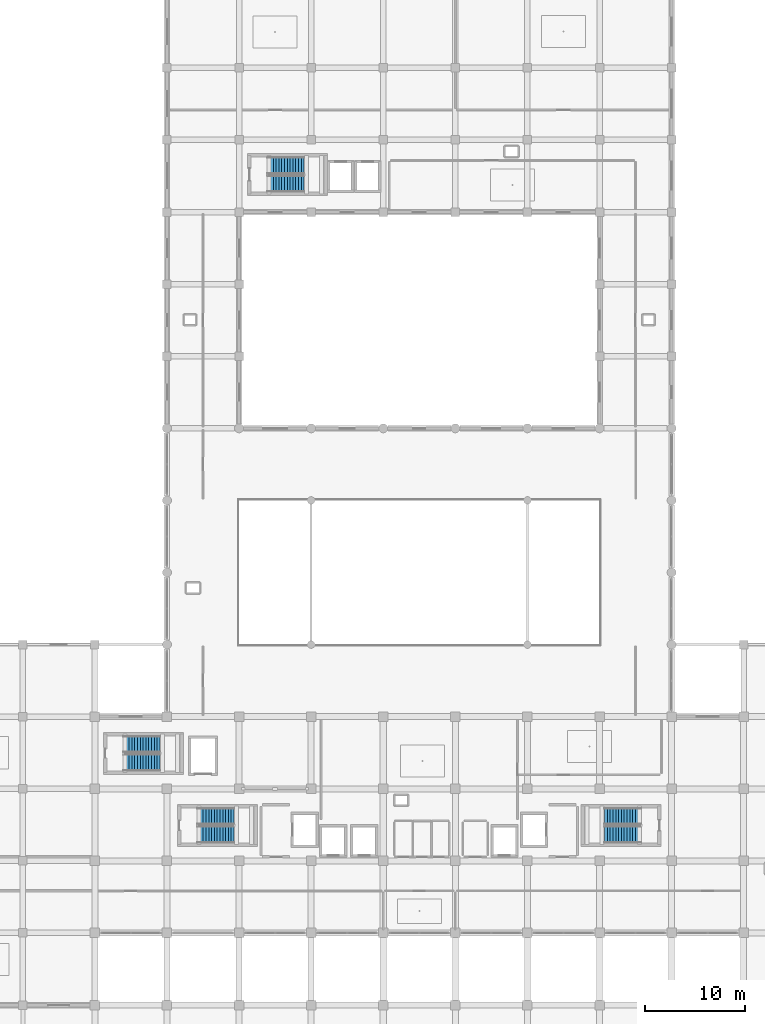
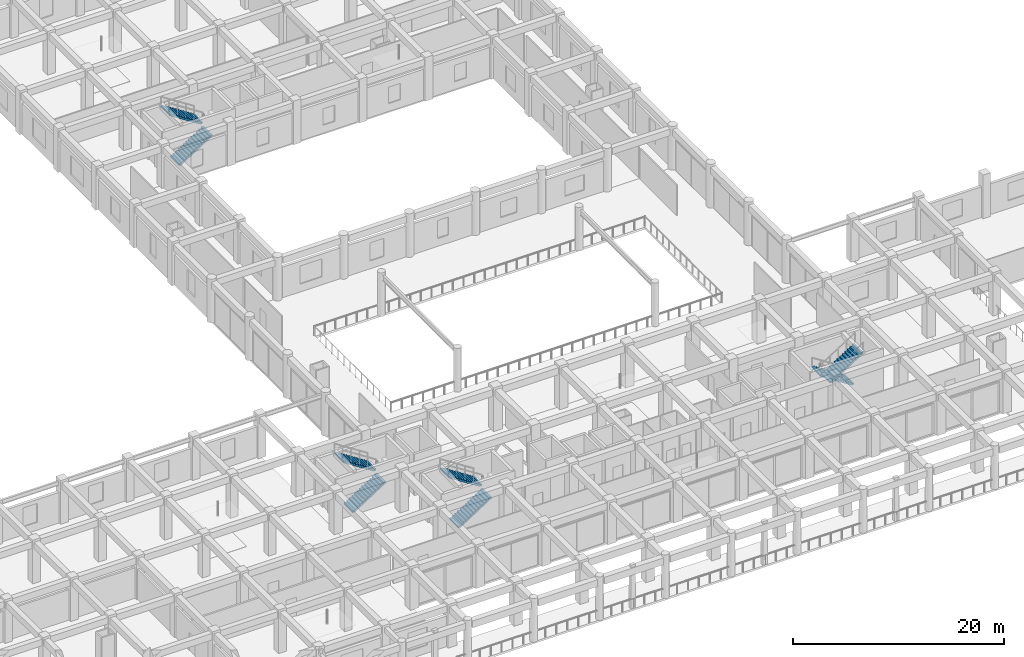
# One storey, part 37 of 54: 8 stair flights, 4 elements without a shape of their own.
"""IFC4 building model written with IfcOpenShell, lengths in metres."""

import ifcopenshell
import ifcopenshell.guid

model = None  # the IFC model being written
_history = None  # IfcOwnerHistory: only IFC2X3 demands one
_inside = {}  # id of a spatial element -> (the spatial element, [elements in it])
_under = {}  # id of a project, library or spatial element -> (it, [spatial elements below it])
_declared = {}  # id of a project -> (the project, [libraries it declares])
_typed = {}  # id of a type object -> (the type object, [elements of that type])
_made_of = {}  # id of a material, layer set ... -> (it, [elements and type objects made of it])


def new_model(schema):
    """Start an empty IFC model of exactly this schema.

    Asked for "IFC4X3", IfcOpenShell would pick the latest addendum, in which some entities
    have other attributes; the version numbers below select the first issue.
    IFC2X3 requires an IfcOwnerHistory on every rooted entity: one is made here for all.
    """
    global model, _history
    if schema == "IFC4X3":
        model = ifcopenshell.file(schema_version=(4, 3, 0, 0))
    else:
        model = ifcopenshell.file(schema=schema)
    _inside.clear()
    _under.clear()
    _declared.clear()
    _typed.clear()
    _made_of.clear()
    _history = None
    if model.schema == "IFC2X3":
        org = make("IfcOrganization", Name="unknown")
        user = make(
            "IfcPersonAndOrganization",
            ThePerson=make("IfcPerson", FamilyName="unknown"),
            TheOrganization=org,
        )
        app = make(
            "IfcApplication",
            ApplicationDeveloper=org,
            Version="unknown",
            ApplicationFullName="unknown",
            ApplicationIdentifier="unknown",
        )
        _history = make(
            "IfcOwnerHistory",
            OwningUser=user,
            OwningApplication=app,
            ChangeAction="ADDED",
            CreationDate=0,
        )
    return model


def make(cls, **values):
    """One entity of the class cls with the attributes given. An attribute that is None is left unset."""
    return model.create_entity(
        cls, **{name: value for name, value in values.items() if value is not None}
    )


def rooted(cls, **values):
    """An entity with a GlobalId (a new one), such as an element, a storey or a relation."""
    return make(cls, GlobalId=ifcopenshell.guid.new(), OwnerHistory=_history, **values)


def si_unit(unit_type, name, prefix=None):
    """IfcSIUnit, for example si_unit("LENGTHUNIT", "METRE", prefix="MILLI")."""
    return make("IfcSIUnit", UnitType=unit_type, Prefix=prefix, Name=name)


def assignment(units):
    """IfcUnitAssignment: the units of a project."""
    return None if units is None else make("IfcUnitAssignment", Units=units)


def point(xyz):
    """IfcCartesianPoint."""
    return None if xyz is None else make("IfcCartesianPoint", Coordinates=xyz)


def direction(xyz):
    """IfcDirection."""
    return None if xyz is None else make("IfcDirection", DirectionRatios=xyz)


def frame(location, z_axis=None, x_axis=None):
    """IfcAxis2Placement3D, a coordinate frame: its origin and axes. An axis left out is left unset."""
    return make(
        "IfcAxis2Placement3D",
        Location=point(location),
        Axis=direction(z_axis),
        RefDirection=direction(x_axis),
    )


def origin():
    """The frame at (0, 0, 0) with its axes left unset."""
    return frame((0.0, 0.0, 0.0))


def place(relative_to, where):
    """IfcLocalPlacement: puts the frame where relative to a parent placement (None: the world)."""
    return make(
        "IfcLocalPlacement", PlacementRelTo=relative_to, RelativePlacement=where
    )


def context(
    kind, dimensions, precision=None, world=None, true_north=None, identifier=None
):
    """IfcGeometricRepresentationContext, for example the 3D "Model" context."""
    return make(
        "IfcGeometricRepresentationContext",
        ContextIdentifier=identifier,
        ContextType=kind,
        CoordinateSpaceDimension=dimensions,
        Precision=precision,
        WorldCoordinateSystem=world,
        TrueNorth=true_north,
    )


def subcontext(parent, identifier, kind, view, scale=None):
    """IfcGeometricRepresentationSubContext, for example "Body" below "Model"."""
    return make(
        "IfcGeometricRepresentationSubContext",
        ContextIdentifier=identifier,
        ContextType=kind,
        ParentContext=parent,
        TargetScale=scale,
        TargetView=view,
    )


def project(units=None, contexts=None):
    """IfcProject with its units and contexts."""
    return rooted(
        "IfcProject",
        Name="project",
        RepresentationContexts=contexts,
        UnitsInContext=assignment(units),
    )


def spatial(cls, under=None, at=None, **own):
    """A site, building, storey or space (cls), placed at a placement, below another one or the project."""
    s = rooted(cls, ObjectPlacement=at, **own)
    if under is not None:
        _under.setdefault(under.id(), (under, []))[1].append(s)
    return s


def polyline(points):
    """IfcPolyline through the points."""
    return make("IfcPolyline", Points=[point(p) for p in points])


def outline(outer, holes=None, kind="AREA"):
    """IfcArbitraryClosedProfileDef: a profile drawn as a closed curve; with holes, ...WithVoids."""
    if holes is None:
        return make("IfcArbitraryClosedProfileDef", ProfileType=kind, OuterCurve=outer)
    return make(
        "IfcArbitraryProfileDefWithVoids",
        ProfileType=kind,
        OuterCurve=outer,
        InnerCurves=holes,
    )


def extrude(swept, where, along, depth):
    """IfcExtrudedAreaSolid: the profile swept, set in the frame where, extruded along a direction by depth."""
    return make(
        "IfcExtrudedAreaSolid",
        SweptArea=swept,
        Position=where,
        ExtrudedDirection=direction(along),
        Depth=depth,
    )


def shape(context_of_items, identifier, shape_type, items):
    """IfcShapeRepresentation: the items that make up one representation, for example the "Body"."""
    return make(
        "IfcShapeRepresentation",
        ContextOfItems=context_of_items,
        RepresentationIdentifier=identifier,
        RepresentationType=shape_type,
        Items=items,
    )


def material(Name=None, Category=None):
    """IfcMaterial."""
    return make("IfcMaterial", Name=Name, Category=Category)


def made_of(thing, what):
    """Note that an element or type object is made of a material, layer set ...; save() writes the relation."""
    if what is not None:
        _made_of.setdefault(what.id(), (what, []))[1].append(thing)
    return thing


def type_object(cls, material=None, **own):
    """A type object (cls), such as IfcWallType, which elements share."""
    return made_of(rooted(cls, **own), material)


def element(
    cls,
    number,
    at=None,
    inside=None,
    cuts=None,
    type_object=None,
    material=None,
    context=None,
    identifier="Body",
    shape_type=None,
    held_by="IfcProductDefinitionShape",
    body=None,
    shapes=None,
    **own,
):
    """One element of the class cls, such as IfcWall. Its Tag is "e" and its number.

    at: its placement. inside: the storey or other place that contains it. cuts: it is an
    opening in that element (IfcRelVoidsElement). A single representation is given by context,
    identifier, shape_type and body (its items); several are given by shapes. held_by: the class
    of the entity that holds the representations. save() writes the other relations.
    """
    e = rooted(cls, Tag="e%d" % number, ObjectPlacement=at, **own)
    if body is not None:
        shapes = [shape(context, identifier, shape_type, body)]
    if shapes is not None:
        e.Representation = make(held_by, Representations=shapes)
    if inside is not None:
        _inside.setdefault(inside.id(), (inside, []))[1].append(e)
    if cuts is not None:
        rooted(
            "IfcRelVoidsElement", RelatingBuildingElement=cuts, RelatedOpeningElement=e
        )
    if type_object is not None:
        _typed.setdefault(type_object.id(), (type_object, []))[1].append(e)
    return made_of(e, material)


def aggregate(whole, parts):
    """IfcRelAggregates: a whole, such as a stair, and the parts it consists of."""
    return rooted("IfcRelAggregates", RelatingObject=whole, RelatedObjects=parts)


def save(model, path):
    """Write the relations noted so far, then the file.

    IfcRelAggregates (storeys below a building ...), IfcRelContainedInSpatialStructure (elements
    in a storey), IfcRelDefinesByType, IfcRelAssociatesMaterial and IfcRelDeclares: one each for
    every whole, place, type object, material and project.
    """
    for whole, parts in _under.values():
        aggregate(whole, parts)
    for where, things in _inside.values():
        rooted(
            "IfcRelContainedInSpatialStructure",
            RelatedElements=things,
            RelatingStructure=where,
        )
    for kind, things in _typed.values():
        rooted("IfcRelDefinesByType", RelatedObjects=things, RelatingType=kind)
    for what, things in _made_of.values():
        rooted("IfcRelAssociatesMaterial", RelatedObjects=things, RelatingMaterial=what)
    for by, libraries in _declared.values():
        rooted("IfcRelDeclares", RelatingContext=by, RelatedDefinitions=libraries)
    model.write(path)


model = new_model("IFC4")

# Units and contexts
model_context = context("Model", 3, precision=1e-05, world=origin(), true_north=direction((0.0, 1.0)))
body_context = subcontext(model_context, "Body", "Model", "MODEL_VIEW")
ifc_project = project(units=[si_unit("LENGTHUNIT", "METRE"), si_unit("AREAUNIT", "SQUARE_METRE"), si_unit("VOLUMEUNIT", "CUBIC_METRE"), si_unit("PLANEANGLEUNIT", "RADIAN"), si_unit("MASSUNIT", "GRAM", prefix="KILO")], contexts=[model_context])

# Site, building, storey
site_placement = place(None, origin())
site = spatial("IfcSite", under=ifc_project, at=site_placement, CompositionType="ELEMENT")
building_placement = place(site_placement, origin())
building = spatial("IfcBuilding", under=site, at=building_placement, Name="Kazehaya Institute of Natural Sciences", CompositionType="ELEMENT")
storey_placement = place(building_placement, frame((0.0, 0.0, 5.39990234375)))
storey = spatial("IfcBuildingStorey", under=building, at=storey_placement, Name="L01", CompositionType="ELEMENT", Elevation=5.39990234375)

# Stair, stair flights
ifc_material = material(Name="Concrete Fc36", Category="concrete")
stair_type = type_object("IfcStairType", Name="STR-DOG-5040", PredefinedType="HALF_TURN_STAIR", material=ifc_material)
stair_1_placement = place(storey_placement, origin())
stair_1 = element("IfcStair", 1, at=stair_1_placement, inside=storey, type_object=stair_type, Name="L01 Protected Escape Stair ST-1", PredefinedType="HALF_TURN_STAIR")
stair_flight_type = type_object("IfcStairFlightType", Name="STF-DOG-5040", PredefinedType="STRAIGHT", material=ifc_material)
stair_flight_1_placement = place(storey_placement, frame((64.860107421875, 23.830078125, 0.0), z_axis=(0.0, 0.0, 1.0), x_axis=(1.0, 0.0, 0.0)))
stair_flight_1 = element("IfcStairFlight", 2, at=stair_flight_1_placement, type_object=stair_flight_type, Name="ST-1 flight 1", NumberOfRisers=14, NumberOfTreads=13, PredefinedType="STRAIGHT", RiserHeight=0.18, TreadLength=0.28, context=body_context, shape_type="SweptSolid", body=[
    extrude(outline(polyline([(0.0, 0.0), (0.0, 0.179931640625), (0.280029296875, 0.179931640625), (0.280029296875, 0.360107421875), (0.56005859375, 0.360107421875), (0.56005859375, 0.5400390625), (0.840087890625, 0.5400390625), (0.840087890625, 0.719970703125), (1.1201171875, 0.719970703125), (1.1201171875, 0.89990234375), (1.39990234375, 0.89990234375), (1.39990234375, 1.080078125), (1.679931640625, 1.080078125), (1.679931640625, 1.260009765625), (1.9599609375, 1.260009765625), (1.9599609375, 1.43994140625), (2.239990234375, 1.43994140625), (2.239990234375, 1.6201171875), (2.52001953125, 1.6201171875), (2.52001953125, 1.800048828125), (2.800048828125, 1.800048828125), (2.800048828125, 1.97998046875), (3.080078125, 1.97998046875), (3.080078125, 2.159912109375), (3.360107421875, 2.159912109375), (3.360107421875, 2.340087890625), (3.639892578125, 2.340087890625), (3.639892578125, 2.52001953125), (3.639892578125, 2.161865234375), (0.277099609375, 0.0), (0.0, 0.0)])), frame((0.0, 0.830078125, 0.0), z_axis=(0.0, -1.0, 0.0), x_axis=(1.0, 0.0, 0.0)), (0.0, 0.0, 1.0), 1.659912109375),
])
stair_flight_2_placement = place(storey_placement, frame((68.5, 25.64990234375, 2.52001953125), z_axis=(0.0, 0.0, 1.0), x_axis=(-1.0, 0.0, 0.0)))
stair_flight_2 = element("IfcStairFlight", 3, at=stair_flight_2_placement, type_object=stair_flight_type, Name="ST-1 flight 2", NumberOfRisers=14, NumberOfTreads=13, PredefinedType="STRAIGHT", RiserHeight=0.18, TreadLength=0.28, context=body_context, shape_type="SweptSolid", body=[
    extrude(outline(polyline([(0.0, 0.0), (0.0, 0.179931640625), (0.280029296875, 0.179931640625), (0.280029296875, 0.360107421875), (0.56005859375, 0.360107421875), (0.56005859375, 0.5400390625), (0.840087890625, 0.5400390625), (0.840087890625, 0.719970703125), (1.1201171875, 0.719970703125), (1.1201171875, 0.89990234375), (1.39990234375, 0.89990234375), (1.39990234375, 1.080078125), (1.679931640625, 1.080078125), (1.679931640625, 1.260009765625), (1.9599609375, 1.260009765625), (1.9599609375, 1.43994140625), (2.239990234375, 1.43994140625), (2.239990234375, 1.6201171875), (2.52001953125, 1.6201171875), (2.52001953125, 1.800048828125), (2.800048828125, 1.800048828125), (2.800048828125, 1.97998046875), (3.080078125, 1.97998046875), (3.080078125, 2.159912109375), (3.360107421875, 2.159912109375), (3.360107421875, 2.340087890625), (3.639892578125, 2.340087890625), (3.639892578125, 2.52001953125), (3.639892578125, 2.161865234375), (0.277099609375, 0.0), (0.0, 0.0)])), frame((0.0, 0.830078125, 0.0), z_axis=(0.0, -1.0, 0.0), x_axis=(1.0, 0.0, 0.0)), (0.0, 0.0, 1.0), 1.659912109375),
])
aggregate(stair_1, [stair_flight_1, stair_flight_2])

stair_2_placement = place(storey_placement, origin())
stair_2 = element("IfcStair", 4, at=stair_2_placement, inside=storey, type_object=stair_type, Name="L01 Protected Escape Stair ST-2", PredefinedType="HALF_TURN_STAIR")
stair_flight_3_placement = place(storey_placement, frame((109.139892578125, 25.64990234375, 0.0), z_axis=(0.0, 0.0, 1.0), x_axis=(-1.0, 0.0, 0.0)))
stair_flight_3 = element("IfcStairFlight", 5, at=stair_flight_3_placement, type_object=stair_flight_type, Name="ST-2 flight 1", NumberOfRisers=14, NumberOfTreads=13, PredefinedType="STRAIGHT", RiserHeight=0.18, TreadLength=0.28, context=body_context, shape_type="SweptSolid", body=[
    extrude(outline(polyline([(0.0, 0.0), (0.0, 0.179931640625), (0.280029296875, 0.179931640625), (0.280029296875, 0.360107421875), (0.56005859375, 0.360107421875), (0.56005859375, 0.5400390625), (0.840087890625, 0.5400390625), (0.840087890625, 0.719970703125), (1.1201171875, 0.719970703125), (1.1201171875, 0.89990234375), (1.39990234375, 0.89990234375), (1.39990234375, 1.080078125), (1.679931640625, 1.080078125), (1.679931640625, 1.260009765625), (1.9599609375, 1.260009765625), (1.9599609375, 1.43994140625), (2.239990234375, 1.43994140625), (2.239990234375, 1.6201171875), (2.52001953125, 1.6201171875), (2.52001953125, 1.800048828125), (2.800048828125, 1.800048828125), (2.800048828125, 1.97998046875), (3.080078125, 1.97998046875), (3.080078125, 2.159912109375), (3.360107421875, 2.159912109375), (3.360107421875, 2.340087890625), (3.639892578125, 2.340087890625), (3.639892578125, 2.52001953125), (3.639892578125, 2.161865234375), (0.277099609375, 0.0), (0.0, 0.0)])), frame((0.0, 0.830078125, 0.0), z_axis=(0.0, -1.0, 0.0), x_axis=(1.0, 0.0, 0.0)), (0.0, 0.0, 1.0), 1.659912109375),
])
stair_flight_4_placement = place(storey_placement, frame((105.5, 23.830078125, 2.52001953125), z_axis=(0.0, 0.0, 1.0), x_axis=(1.0, 0.0, 0.0)))
stair_flight_4 = element("IfcStairFlight", 6, at=stair_flight_4_placement, type_object=stair_flight_type, Name="ST-2 flight 2", NumberOfRisers=14, NumberOfTreads=13, PredefinedType="STRAIGHT", RiserHeight=0.18, TreadLength=0.28, context=body_context, shape_type="SweptSolid", body=[
    extrude(outline(polyline([(0.0, 0.0), (0.0, 0.179931640625), (0.280029296875, 0.179931640625), (0.280029296875, 0.360107421875), (0.56005859375, 0.360107421875), (0.56005859375, 0.5400390625), (0.840087890625, 0.5400390625), (0.840087890625, 0.719970703125), (1.1201171875, 0.719970703125), (1.1201171875, 0.89990234375), (1.39990234375, 0.89990234375), (1.39990234375, 1.080078125), (1.679931640625, 1.080078125), (1.679931640625, 1.260009765625), (1.9599609375, 1.260009765625), (1.9599609375, 1.43994140625), (2.239990234375, 1.43994140625), (2.239990234375, 1.6201171875), (2.52001953125, 1.6201171875), (2.52001953125, 1.800048828125), (2.800048828125, 1.800048828125), (2.800048828125, 1.97998046875), (3.080078125, 1.97998046875), (3.080078125, 2.159912109375), (3.360107421875, 2.159912109375), (3.360107421875, 2.340087890625), (3.639892578125, 2.340087890625), (3.639892578125, 2.52001953125), (3.639892578125, 2.161865234375), (0.277099609375, 0.0), (0.0, 0.0)])), frame((0.0, 0.830078125, 0.0), z_axis=(0.0, -1.0, 0.0), x_axis=(1.0, 0.0, 0.0)), (0.0, 0.0, 1.0), 1.659912109375),
])
aggregate(stair_2, [stair_flight_3, stair_flight_4])

stair_3_placement = place(storey_placement, origin())
stair_3 = element("IfcStair", 7, at=stair_3_placement, inside=storey, type_object=stair_type, Name="L01 Protected Escape Stair ST-3", PredefinedType="HALF_TURN_STAIR")
stair_flight_5_placement = place(storey_placement, frame((71.860107421875, 88.830078125, 0.0), z_axis=(0.0, 0.0, 1.0), x_axis=(1.0, 0.0, 0.0)))
stair_flight_5 = element("IfcStairFlight", 8, at=stair_flight_5_placement, type_object=stair_flight_type, Name="ST-3 flight 1", NumberOfRisers=14, NumberOfTreads=13, PredefinedType="STRAIGHT", RiserHeight=0.18, TreadLength=0.28, context=body_context, shape_type="SweptSolid", body=[
    extrude(outline(polyline([(0.0, 0.0), (0.0, 0.179931640625), (0.280029296875, 0.179931640625), (0.280029296875, 0.360107421875), (0.56005859375, 0.360107421875), (0.56005859375, 0.5400390625), (0.840087890625, 0.5400390625), (0.840087890625, 0.719970703125), (1.1201171875, 0.719970703125), (1.1201171875, 0.89990234375), (1.39990234375, 0.89990234375), (1.39990234375, 1.080078125), (1.679931640625, 1.080078125), (1.679931640625, 1.260009765625), (1.9599609375, 1.260009765625), (1.9599609375, 1.43994140625), (2.239990234375, 1.43994140625), (2.239990234375, 1.6201171875), (2.52001953125, 1.6201171875), (2.52001953125, 1.800048828125), (2.800048828125, 1.800048828125), (2.800048828125, 1.97998046875), (3.080078125, 1.97998046875), (3.080078125, 2.159912109375), (3.360107421875, 2.159912109375), (3.360107421875, 2.340087890625), (3.639892578125, 2.340087890625), (3.639892578125, 2.52001953125), (3.639892578125, 2.161865234375), (0.277099609375, 0.0), (0.0, 0.0)])), frame((0.0, 0.830078125, 0.0), z_axis=(0.0, -1.0, 0.0), x_axis=(1.0, 0.0, 0.0)), (0.0, 0.0, 1.0), 1.659912109375),
])
stair_flight_6_placement = place(storey_placement, frame((75.5, 90.64990234375, 2.52001953125), z_axis=(0.0, 0.0, 1.0), x_axis=(-1.0, 0.0, 0.0)))
stair_flight_6 = element("IfcStairFlight", 9, at=stair_flight_6_placement, type_object=stair_flight_type, Name="ST-3 flight 2", NumberOfRisers=14, NumberOfTreads=13, PredefinedType="STRAIGHT", RiserHeight=0.18, TreadLength=0.28, context=body_context, shape_type="SweptSolid", body=[
    extrude(outline(polyline([(0.0, 0.0), (0.0, 0.179931640625), (0.280029296875, 0.179931640625), (0.280029296875, 0.360107421875), (0.56005859375, 0.360107421875), (0.56005859375, 0.5400390625), (0.840087890625, 0.5400390625), (0.840087890625, 0.719970703125), (1.1201171875, 0.719970703125), (1.1201171875, 0.89990234375), (1.39990234375, 0.89990234375), (1.39990234375, 1.080078125), (1.679931640625, 1.080078125), (1.679931640625, 1.260009765625), (1.9599609375, 1.260009765625), (1.9599609375, 1.43994140625), (2.239990234375, 1.43994140625), (2.239990234375, 1.6201171875), (2.52001953125, 1.6201171875), (2.52001953125, 1.800048828125), (2.800048828125, 1.800048828125), (2.800048828125, 1.97998046875), (3.080078125, 1.97998046875), (3.080078125, 2.159912109375), (3.360107421875, 2.159912109375), (3.360107421875, 2.340087890625), (3.639892578125, 2.340087890625), (3.639892578125, 2.52001953125), (3.639892578125, 2.161865234375), (0.277099609375, 0.0), (0.0, 0.0)])), frame((0.0, 0.830078125, 0.0), z_axis=(0.0, -1.0, 0.0), x_axis=(1.0, 0.0, 0.0)), (0.0, 0.0, 1.0), 1.659912109375),
])
aggregate(stair_3, [stair_flight_5, stair_flight_6])

stair_4_placement = place(storey_placement, origin())
stair_4 = element("IfcStair", 10, at=stair_4_placement, inside=storey, type_object=stair_type, Name="L01 Protected Escape Stair ST-4", PredefinedType="HALF_TURN_STAIR")
stair_flight_7_placement = place(storey_placement, frame((57.4599609375, 31.030029296875, 0.0), z_axis=(0.0, 0.0, 1.0), x_axis=(1.0, 0.0, 0.0)))
stair_flight_7 = element("IfcStairFlight", 11, at=stair_flight_7_placement, type_object=stair_flight_type, Name="ST-4 flight 1", NumberOfRisers=14, NumberOfTreads=13, PredefinedType="STRAIGHT", RiserHeight=0.18, TreadLength=0.28, context=body_context, shape_type="SweptSolid", body=[
    extrude(outline(polyline([(0.0, 0.0), (0.0, 0.179931640625), (0.280029296875, 0.179931640625), (0.280029296875, 0.360107421875), (0.56005859375, 0.360107421875), (0.56005859375, 0.5400390625), (0.840087890625, 0.5400390625), (0.840087890625, 0.719970703125), (1.1201171875, 0.719970703125), (1.1201171875, 0.89990234375), (1.39990234375, 0.89990234375), (1.39990234375, 1.080078125), (1.679931640625, 1.080078125), (1.679931640625, 1.260009765625), (1.9599609375, 1.260009765625), (1.9599609375, 1.43994140625), (2.239990234375, 1.43994140625), (2.239990234375, 1.6201171875), (2.52001953125, 1.6201171875), (2.52001953125, 1.800048828125), (2.800048828125, 1.800048828125), (2.800048828125, 1.97998046875), (3.080078125, 1.97998046875), (3.080078125, 2.159912109375), (3.360107421875, 2.159912109375), (3.360107421875, 2.340087890625), (3.639892578125, 2.340087890625), (3.639892578125, 2.52001953125), (3.639892578125, 2.161865234375), (0.277099609375, 0.0), (0.0, 0.0)])), frame((0.0, 0.830078125, 0.0), z_axis=(0.0, -1.0, 0.0), x_axis=(1.0, 0.0, 0.0)), (0.0, 0.0, 1.0), 1.659912109375),
])
stair_flight_8_placement = place(storey_placement, frame((61.10009765625, 32.85009765625, 2.52001953125), z_axis=(0.0, 0.0, 1.0), x_axis=(-1.0, 0.0, 0.0)))
stair_flight_8 = element("IfcStairFlight", 12, at=stair_flight_8_placement, type_object=stair_flight_type, Name="ST-4 flight 2", NumberOfRisers=14, NumberOfTreads=13, PredefinedType="STRAIGHT", RiserHeight=0.18, TreadLength=0.28, context=body_context, shape_type="SweptSolid", body=[
    extrude(outline(polyline([(0.0, 0.0), (0.0, 0.179931640625), (0.280029296875, 0.179931640625), (0.280029296875, 0.360107421875), (0.56005859375, 0.360107421875), (0.56005859375, 0.5400390625), (0.840087890625, 0.5400390625), (0.840087890625, 0.719970703125), (1.1201171875, 0.719970703125), (1.1201171875, 0.89990234375), (1.39990234375, 0.89990234375), (1.39990234375, 1.080078125), (1.679931640625, 1.080078125), (1.679931640625, 1.260009765625), (1.9599609375, 1.260009765625), (1.9599609375, 1.43994140625), (2.239990234375, 1.43994140625), (2.239990234375, 1.6201171875), (2.52001953125, 1.6201171875), (2.52001953125, 1.800048828125), (2.800048828125, 1.800048828125), (2.800048828125, 1.97998046875), (3.080078125, 1.97998046875), (3.080078125, 2.159912109375), (3.360107421875, 2.159912109375), (3.360107421875, 2.340087890625), (3.639892578125, 2.340087890625), (3.639892578125, 2.52001953125), (3.639892578125, 2.161865234375), (0.277099609375, 0.0), (0.0, 0.0)])), frame((0.0, 0.830078125, 0.0), z_axis=(0.0, -1.0, 0.0), x_axis=(1.0, 0.0, 0.0)), (0.0, 0.0, 1.0), 1.659912109375),
])
aggregate(stair_4, [stair_flight_7, stair_flight_8])

save(model, "model.ifc")
